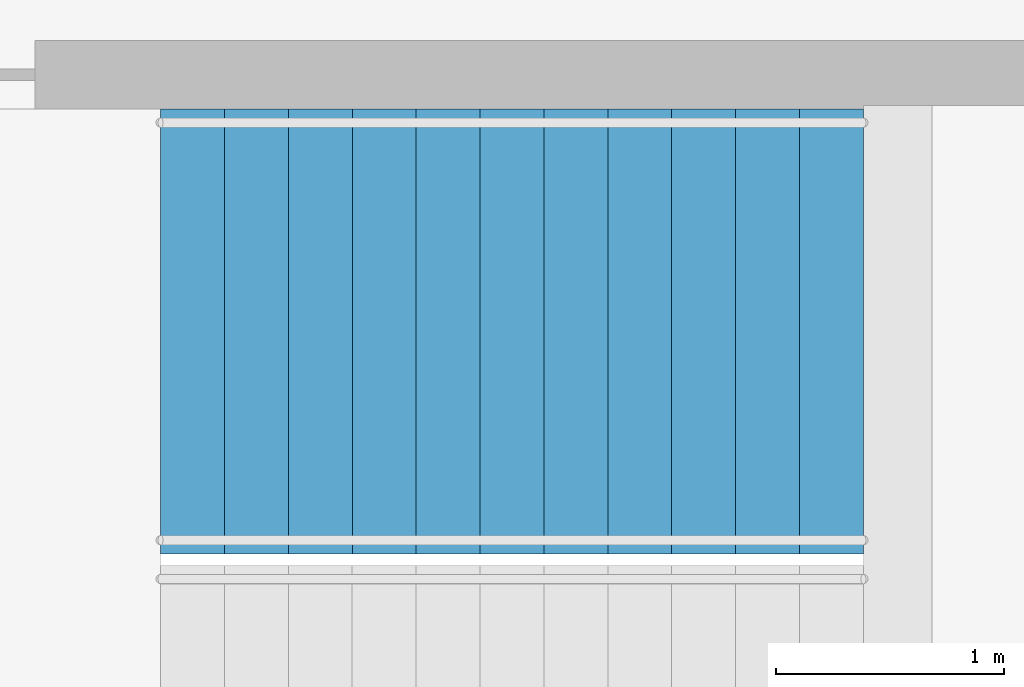
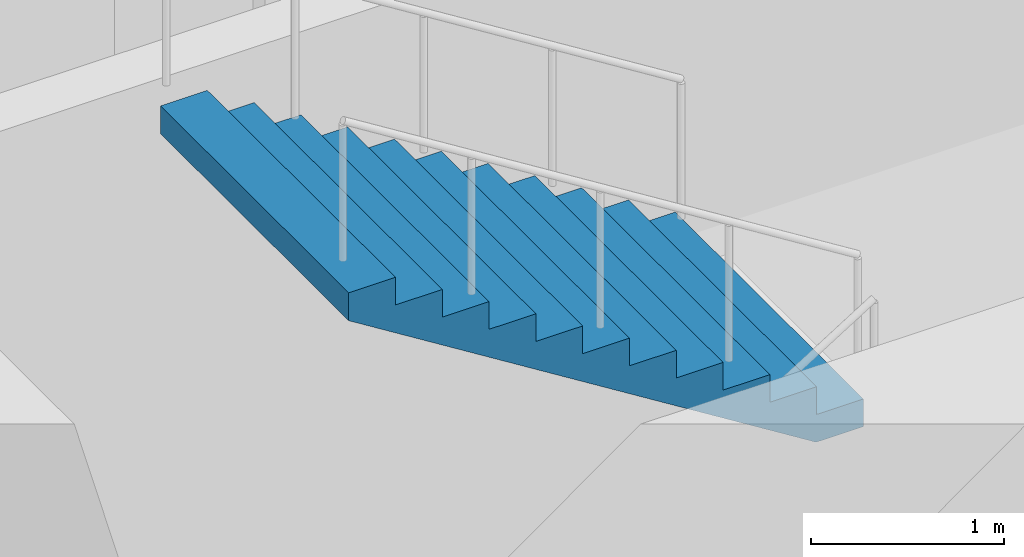
# One storey, part 20 of 23: 1 stair flight, 1 element without a shape of its own.
"""IFC4 building model written with IfcOpenShell, lengths in metres."""

from ifc_helpers import new_model, si_unit, direction, frame, origin, place, context, subcontext, project, spatial, triangles, material, type_object, element, aggregate, save


model = new_model("IFC4")

# Units and contexts
model_context = context("Model", 3, precision=1e-05, world=origin(), true_north=direction((0.0, 1.0)))
body_context = subcontext(model_context, "Body", "Model", "MODEL_VIEW")
ifc_project = project(units=[si_unit("LENGTHUNIT", "METRE"), si_unit("AREAUNIT", "SQUARE_METRE"), si_unit("VOLUMEUNIT", "CUBIC_METRE"), si_unit("PLANEANGLEUNIT", "RADIAN"), si_unit("MASSUNIT", "GRAM", prefix="KILO")], contexts=[model_context])

# Site, building, storey
site_placement = place(None, origin())
site = spatial("IfcSite", under=ifc_project, at=site_placement, CompositionType="ELEMENT")
building_placement = place(site_placement, origin())
building = spatial("IfcBuilding", under=site, at=building_placement, Name="Orbita Commons", CompositionType="ELEMENT")
storey_placement = place(building_placement, frame((0.0, 0.0, 16.0)))
storey = spatial("IfcBuildingStorey", under=building, at=storey_placement, Name="L03", CompositionType="ELEMENT", Elevation=16.0)

# Stair, stair flight
ifc_material_1 = material(Name="Precast concrete C40/50", Category="concrete")
stair_type = type_object("IfcStairType", Name="Exit stair S1 2 flights 12 risers 175", PredefinedType="HALF_TURN_STAIR", material=ifc_material_1)
stair_placement = place(storey_placement, origin())
stair = element("IfcStair", 1, at=stair_placement, inside=storey, type_object=stair_type, Name="Exit stair S1 L03", PredefinedType="HALF_TURN_STAIR")
ifc_material_2 = material(Name="Precast concrete C40/50", Category="concrete")
stair_flight_type = type_object("IfcStairFlightType", Name="Stair flight 12 risers 175 x 280", PredefinedType="STRAIGHT", material=ifc_material_2)
stair_flight_placement = place(storey_placement, frame((23.530029296875, 29.27490234375, 2.10009765625), z_axis=(0.0, 0.0, 1.0), x_axis=(-1.0, 0.0, 0.0)))
stair_flight = element("IfcStairFlight", 2, at=stair_flight_placement, type_object=stair_flight_type, Name="S1 flight 2", NumberOfRisers=12, NumberOfTreads=11, PredefinedType="STRAIGHT", RiserHeight=0.175, TreadLength=0.28, context=body_context, shape_type="Tessellation", body=[
    triangles([(0.0, 0.974976, 0.0), (0.0, 0.974976, 0.021875), (0.0, 0.81248, 0.021875), (0.0, 0.81248, 0.0), (0.0, 0.649984, 0.021875), (0.0, 0.649984, 0.0), (0.0, 0.487488, 0.021875), (0.0, 0.487488, 0.0), (0.0, 0.324992, 0.021875), (0.0, 0.324992, 0.0), (0.0, 0.162496, 0.021875), (0.0, 0.162496, 0.0), (0.0, 0.0, 0.021875), (0.0, 0.0, 0.0), (0.0, -0.162496, 0.021875), (0.0, -0.162496, 0.0), (0.0, -0.324992, 0.021875), (0.0, -0.324992, 0.0), (0.0, -0.487488, 0.021875), (0.0, -0.487488, 0.0), (0.0, -0.649984, 0.021875), (0.0, -0.649984, 0.0), (0.0, -0.81248, 0.021875), (0.0, -0.81248, 0.0), (0.0, -0.974976, 0.021875), (0.0, -0.974976, 0.0), (0.0, 0.974976, 0.04375), (0.0, 0.81248, 0.04375), (0.0, 0.649984, 0.04375), (0.0, 0.487488, 0.04375), (0.0, 0.324992, 0.04375), (0.0, 0.162496, 0.04375), (0.0, 0.0, 0.04375), (0.0, -0.162496, 0.04375), (0.0, -0.324992, 0.04375), (0.0, -0.487488, 0.04375), (0.0, -0.649984, 0.04375), (0.0, -0.81248, 0.04375), (0.0, -0.974976, 0.04375), (0.0, 0.974976, 0.065625), (0.0, 0.81248, 0.065625), (0.0, 0.649984, 0.065625), (0.0, 0.487488, 0.065625), (0.0, 0.324992, 0.065625), (0.0, 0.162496, 0.065625), (0.0, 0.0, 0.065625), (0.0, -0.162496, 0.065625), (0.0, -0.324992, 0.065625), (0.0, -0.487488, 0.065625), (0.0, -0.649984, 0.065625), (0.0, -0.81248, 0.065625), (0.0, -0.974976, 0.065625), (0.0, 0.974976, 0.0875), (0.0, 0.81248, 0.0875), (0.0, 0.649984, 0.0875), (0.0, 0.487488, 0.0875), (0.0, 0.324992, 0.0875), (0.0, 0.162496, 0.0875), (0.0, 0.0, 0.0875), (0.0, -0.162496, 0.0875), (0.0, -0.324992, 0.0875), (0.0, -0.487488, 0.0875), (0.0, -0.649984, 0.0875), (0.0, -0.81248, 0.0875), (0.0, -0.974976, 0.0875), (0.0, 0.974976, 0.109375), (0.0, 0.81248, 0.109375), (0.0, 0.649984, 0.109375), (0.0, 0.487488, 0.109375), (0.0, 0.324992, 0.109375), (0.0, 0.162496, 0.109375), (0.0, 0.0, 0.109375), (0.0, -0.162496, 0.109375), (0.0, -0.324992, 0.109375), (0.0, -0.487488, 0.109375), (0.0, -0.649984, 0.109375), (0.0, -0.81248, 0.109375), (0.0, -0.974976, 0.109375), (0.0, 0.974976, 0.13125), (0.0, 0.81248, 0.13125), (0.0, 0.649984, 0.13125), (0.0, 0.487488, 0.13125), (0.0, 0.324992, 0.13125), (0.0, 0.162496, 0.13125), (0.0, 0.0, 0.13125), (0.0, -0.162496, 0.13125), (0.0, -0.324992, 0.13125), (0.0, -0.487488, 0.13125), (0.0, -0.649984, 0.13125), (0.0, -0.81248, 0.13125), (0.0, -0.974976, 0.13125), (0.0, 0.974976, 0.153125), (0.0, 0.81248, 0.153125), (0.0, 0.649984, 0.153125), (0.0, 0.487488, 0.153125), (0.0, 0.324992, 0.153125), (0.0, 0.162496, 0.153125), (0.0, 0.0, 0.153125), (0.0, -0.162496, 0.153125), (0.0, -0.324992, 0.153125), (0.0, -0.487488, 0.153125), (0.0, -0.649984, 0.153125), (0.0, -0.81248, 0.153125), (0.0, -0.974976, 0.153125), (0.0, 0.974976, 0.175), (0.0, 0.81248, 0.175), (0.0, 0.649984, 0.175), (0.0, 0.487488, 0.175), (0.0, 0.324992, 0.175), (0.0, 0.162496, 0.175), (0.0, 0.0, 0.175), (0.0, -0.162496, 0.175), (0.0, -0.324992, 0.175), (0.0, -0.487488, 0.175), (0.0, -0.649984, 0.175), (0.0, -0.81248, 0.175), (0.0, -0.974976, 0.175), (0.28, 0.974976, 0.175), (0.28, 0.81248, 0.175), (0.28, 0.649984, 0.175), (0.28, 0.487488, 0.175), (0.28, 0.324992, 0.175), (0.28, 0.162496, 0.175), (0.28, 0.0, 0.175), (0.28, -0.162496, 0.175), (0.28, -0.324992, 0.175), (0.28, -0.487488, 0.175), (0.28, -0.649984, 0.175), (0.28, -0.81248, 0.175), (0.28, -0.974976, 0.175), (0.28, 0.974976, 0.35), (0.28, 0.81248, 0.35), (0.28, 0.649984, 0.35), (0.28, 0.487488, 0.35), (0.28, 0.324992, 0.35), (0.28, 0.162496, 0.35), (0.28, 0.0, 0.35), (0.28, -0.162496, 0.35), (0.28, -0.324992, 0.35), (0.28, -0.487488, 0.35), (0.28, -0.649984, 0.35), (0.28, -0.81248, 0.35), (0.28, -0.974976, 0.35), (0.56, 0.974976, 0.35), (0.56, 0.81248, 0.35), (0.56, 0.649984, 0.35), (0.56, 0.487488, 0.35), (0.56, 0.324992, 0.35), (0.56, 0.162496, 0.35), (0.56, 0.0, 0.35), (0.56, -0.162496, 0.35), (0.56, -0.324992, 0.35), (0.56, -0.487488, 0.35), (0.56, -0.649984, 0.35), (0.56, -0.81248, 0.35), (0.56, -0.974976, 0.35), (0.56, 0.974976, 0.525), (0.56, 0.81248, 0.525), (0.56, 0.649984, 0.525), (0.56, 0.487488, 0.525), (0.56, 0.324992, 0.525), (0.56, 0.162496, 0.525), (0.56, 0.0, 0.525), (0.56, -0.162496, 0.525), (0.56, -0.324992, 0.525), (0.56, -0.487488, 0.525), (0.56, -0.649984, 0.525), (0.56, -0.81248, 0.525), (0.56, -0.974976, 0.525), (0.84, 0.974976, 0.525), (0.84, 0.81248, 0.525), (0.84, 0.649984, 0.525), (0.84, 0.487488, 0.525), (0.84, 0.324992, 0.525), (0.84, 0.162496, 0.525), (0.84, 0.0, 0.525), (0.84, -0.162496, 0.525), (0.84, -0.324992, 0.525), (0.84, -0.487488, 0.525), (0.84, -0.649984, 0.525), (0.84, -0.81248, 0.525), (0.84, -0.974976, 0.525), (0.84, 0.974976, 0.7), (0.84, 0.81248, 0.7), (0.84, 0.649984, 0.7), (0.84, 0.487488, 0.7), (0.84, 0.324992, 0.7), (0.84, 0.162496, 0.7), (0.84, 0.0, 0.7), (0.84, -0.162496, 0.7), (0.84, -0.324992, 0.7), (0.84, -0.487488, 0.7), (0.84, -0.649984, 0.7), (0.84, -0.81248, 0.7), (0.84, -0.974976, 0.7), (1.12, 0.974976, 0.7), (1.12, 0.81248, 0.7), (1.12, 0.649984, 0.7), (1.12, 0.487488, 0.7), (1.12, 0.324992, 0.7), (1.12, 0.162496, 0.7), (1.12, 0.0, 0.7), (1.12, -0.162496, 0.7), (1.12, -0.324992, 0.7), (1.12, -0.487488, 0.7), (1.12, -0.649984, 0.7), (1.12, -0.81248, 0.7), (1.12, -0.974976, 0.7), (1.12, 0.974976, 0.875), (1.12, 0.81248, 0.875), (1.12, 0.649984, 0.875), (1.12, 0.487488, 0.875), (1.12, 0.324992, 0.875), (1.12, 0.162496, 0.875), (1.12, 0.0, 0.875), (1.12, -0.162496, 0.875), (1.12, -0.324992, 0.875), (1.12, -0.487488, 0.875), (1.12, -0.649984, 0.875), (1.12, -0.81248, 0.875), (1.12, -0.974976, 0.875), (1.4, 0.974976, 0.875), (1.4, 0.81248, 0.875), (1.4, 0.649984, 0.875), (1.4, 0.487488, 0.875), (1.4, 0.324992, 0.875), (1.4, 0.162496, 0.875), (1.4, 0.0, 0.875), (1.4, -0.162496, 0.875), (1.4, -0.324992, 0.875), (1.4, -0.487488, 0.875), (1.4, -0.649984, 0.875), (1.4, -0.81248, 0.875), (1.4, -0.974976, 0.875), (1.4, 0.974976, 1.05), (1.4, 0.81248, 1.05), (1.4, 0.649984, 1.05), (1.4, 0.487488, 1.05), (1.4, 0.324992, 1.05), (1.4, 0.162496, 1.05), (1.4, 0.0, 1.05), (1.4, -0.162496, 1.05), (1.4, -0.324992, 1.05), (1.4, -0.487488, 1.05), (1.4, -0.649984, 1.05), (1.4, -0.81248, 1.05), (1.4, -0.974976, 1.05), (1.68, 0.974976, 1.05), (1.68, 0.81248, 1.05), (1.68, 0.649984, 1.05), (1.68, 0.487488, 1.05), (1.68, 0.324992, 1.05), (1.68, 0.162496, 1.05), (1.68, 0.0, 1.05), (1.68, -0.162496, 1.05), (1.68, -0.324992, 1.05), (1.68, -0.487488, 1.05), (1.68, -0.649984, 1.05), (1.68, -0.81248, 1.05), (1.68, -0.974976, 1.05), (1.68, 0.974976, 1.225), (1.68, 0.81248, 1.225), (1.68, 0.649984, 1.225), (1.68, 0.487488, 1.225), (1.68, 0.324992, 1.225), (1.68, 0.162496, 1.225), (1.68, 0.0, 1.225), (1.68, -0.162496, 1.225), (1.68, -0.324992, 1.225), (1.68, -0.487488, 1.225), (1.68, -0.649984, 1.225), (1.68, -0.81248, 1.225), (1.68, -0.974976, 1.225), (1.96, 0.974976, 1.225), (1.96, 0.81248, 1.225), (1.96, 0.649984, 1.225), (1.96, 0.487488, 1.225), (1.96, 0.324992, 1.225), (1.96, 0.162496, 1.225), (1.96, 0.0, 1.225), (1.96, -0.162496, 1.225), (1.96, -0.324992, 1.225), (1.96, -0.487488, 1.225), (1.96, -0.649984, 1.225), (1.96, -0.81248, 1.225), (1.96, -0.974976, 1.225), (1.96, 0.974976, 1.4), (1.96, 0.81248, 1.4), (1.96, 0.649984, 1.4), (1.96, 0.487488, 1.4), (1.96, 0.324992, 1.4), (1.96, 0.162496, 1.4), (1.96, 0.0, 1.4), (1.96, -0.162496, 1.4), (1.96, -0.324992, 1.4), (1.96, -0.487488, 1.4), (1.96, -0.649984, 1.4), (1.96, -0.81248, 1.4), (1.96, -0.974976, 1.4), (2.24, 0.974976, 1.4), (2.24, 0.81248, 1.4), (2.24, 0.649984, 1.4), (2.24, 0.487488, 1.4), (2.24, 0.324992, 1.4), (2.24, 0.162496, 1.4), (2.24, 0.0, 1.4), (2.24, -0.162496, 1.4), (2.24, -0.324992, 1.4), (2.24, -0.487488, 1.4), (2.24, -0.649984, 1.4), (2.24, -0.81248, 1.4), (2.24, -0.974976, 1.4), (2.24, 0.974976, 1.575), (2.24, 0.81248, 1.575), (2.24, 0.649984, 1.575), (2.24, 0.487488, 1.575), (2.24, 0.324992, 1.575), (2.24, 0.162496, 1.575), (2.24, 0.0, 1.575), (2.24, -0.162496, 1.575), (2.24, -0.324992, 1.575), (2.24, -0.487488, 1.575), (2.24, -0.649984, 1.575), (2.24, -0.81248, 1.575), (2.24, -0.974976, 1.575), (2.52, 0.974976, 1.575), (2.52, 0.81248, 1.575), (2.52, 0.649984, 1.575), (2.52, 0.487488, 1.575), (2.52, 0.324992, 1.575), (2.52, 0.162496, 1.575), (2.52, 0.0, 1.575), (2.52, -0.162496, 1.575), (2.52, -0.324992, 1.575), (2.52, -0.487488, 1.575), (2.52, -0.649984, 1.575), (2.52, -0.81248, 1.575), (2.52, -0.974976, 1.575), (2.52, 0.974976, 1.75), (2.52, 0.81248, 1.75), (2.52, 0.649984, 1.75), (2.52, 0.487488, 1.75), (2.52, 0.324992, 1.75), (2.52, 0.162496, 1.75), (2.52, 0.0, 1.75), (2.52, -0.162496, 1.75), (2.52, -0.324992, 1.75), (2.52, -0.487488, 1.75), (2.52, -0.649984, 1.75), (2.52, -0.81248, 1.75), (2.52, -0.974976, 1.75), (2.8, 0.974976, 1.75), (2.8, 0.81248, 1.75), (2.8, 0.649984, 1.75), (2.8, 0.487488, 1.75), (2.8, 0.324992, 1.75), (2.8, 0.162496, 1.75), (2.8, 0.0, 1.75), (2.8, -0.162496, 1.75), (2.8, -0.324992, 1.75), (2.8, -0.487488, 1.75), (2.8, -0.649984, 1.75), (2.8, -0.81248, 1.75), (2.8, -0.974976, 1.75), (2.8, 0.974976, 1.925), (2.8, 0.81248, 1.925), (2.8, 0.649984, 1.925), (2.8, 0.487488, 1.925), (2.8, 0.324992, 1.925), (2.8, 0.162496, 1.925), (2.8, 0.0, 1.925), (2.8, -0.162496, 1.925), (2.8, -0.324992, 1.925), (2.8, -0.487488, 1.925), (2.8, -0.649984, 1.925), (2.8, -0.81248, 1.925), (2.8, -0.974976, 1.925), (3.08, 0.974976, 1.925), (3.08, 0.81248, 1.925), (3.08, 0.649984, 1.925), (3.08, 0.487488, 1.925), (3.08, 0.324992, 1.925), (3.08, 0.162496, 1.925), (3.08, 0.0, 1.925), (3.08, -0.162496, 1.925), (3.08, -0.324992, 1.925), (3.08, -0.487488, 1.925), (3.08, -0.649984, 1.925), (3.08, -0.81248, 1.925), (3.08, -0.974976, 1.925), (3.08, 0.974976, 1.902904), (3.08, 0.81248, 1.902904), (3.08, 0.649984, 1.902904), (3.08, 0.487488, 1.902904), (3.08, 0.324992, 1.902904), (3.08, 0.162496, 1.902904), (3.08, 0.0, 1.902904), (3.08, -0.162496, 1.902904), (3.08, -0.324992, 1.902904), (3.08, -0.487488, 1.902904), (3.08, -0.649984, 1.902904), (3.08, -0.81248, 1.902904), (3.08, -0.974976, 1.902904), (3.08, 0.974976, 1.880807), (3.08, 0.81248, 1.880807), (3.08, 0.649984, 1.880807), (3.08, 0.487488, 1.880807), (3.08, 0.324992, 1.880807), (3.08, 0.162496, 1.880807), (3.08, 0.0, 1.880807), (3.08, -0.162496, 1.880807), (3.08, -0.324992, 1.880807), (3.08, -0.487488, 1.880807), (3.08, -0.649984, 1.880807), (3.08, -0.81248, 1.880807), (3.08, -0.974976, 1.880807), (3.08, 0.974976, 1.858711), (3.08, 0.81248, 1.858711), (3.08, 0.649984, 1.858711), (3.08, 0.487488, 1.858711), (3.08, 0.324992, 1.858711), (3.08, 0.162496, 1.858711), (3.08, 0.0, 1.858711), (3.08, -0.162496, 1.858711), (3.08, -0.324992, 1.858711), (3.08, -0.487488, 1.858711), (3.08, -0.649984, 1.858711), (3.08, -0.81248, 1.858711), (3.08, -0.974976, 1.858711), (3.08, 0.974976, 1.836614), (3.08, 0.81248, 1.836614), (3.08, 0.649984, 1.836614), (3.08, 0.487488, 1.836614), (3.08, 0.324992, 1.836614), (3.08, 0.162496, 1.836614), (3.08, 0.0, 1.836614), (3.08, -0.162496, 1.836614), (3.08, -0.324992, 1.836614), (3.08, -0.487488, 1.836614), (3.08, -0.649984, 1.836614), (3.08, -0.81248, 1.836614), (3.08, -0.974976, 1.836614), (3.08, 0.974976, 1.814518), (3.08, 0.81248, 1.814518), (3.08, 0.649984, 1.814518), (3.08, 0.487488, 1.814518), (3.08, 0.324992, 1.814518), (3.08, 0.162496, 1.814518), (3.08, 0.0, 1.814518), (3.08, -0.162496, 1.814518), (3.08, -0.324992, 1.814518), (3.08, -0.487488, 1.814518), (3.08, -0.649984, 1.814518), (3.08, -0.81248, 1.814518), (3.08, -0.974976, 1.814518), (3.08, 0.974976, 1.792421), (3.08, 0.81248, 1.792421), (3.08, 0.649984, 1.792421), (3.08, 0.487488, 1.792421), (3.08, 0.324992, 1.792421), (3.08, 0.162496, 1.792421), (3.08, 0.0, 1.792421), (3.08, -0.162496, 1.792421), (3.08, -0.324992, 1.792421), (3.08, -0.487488, 1.792421), (3.08, -0.649984, 1.792421), (3.08, -0.81248, 1.792421), (3.08, -0.974976, 1.792421), (3.08, 0.974976, 1.770325), (3.08, 0.81248, 1.770325), (3.08, 0.649984, 1.770325), (3.08, 0.487488, 1.770325), (3.08, 0.324992, 1.770325), (3.08, 0.162496, 1.770325), (3.08, 0.0, 1.770325), (3.08, -0.162496, 1.770325), (3.08, -0.324992, 1.770325), (3.08, -0.487488, 1.770325), (3.08, -0.649984, 1.770325), (3.08, -0.81248, 1.770325), (3.08, -0.974976, 1.770325), (3.08, 0.974976, 1.748228), (3.08, 0.81248, 1.748228), (3.08, 0.649984, 1.748228), (3.08, 0.487488, 1.748228), (3.08, 0.324992, 1.748228), (3.08, 0.162496, 1.748228), (3.08, 0.0, 1.748228), (3.08, -0.162496, 1.748228), (3.08, -0.324992, 1.748228), (3.08, -0.487488, 1.748228), (3.08, -0.649984, 1.748228), (3.08, -0.81248, 1.748228), (3.08, -0.974976, 1.748228), (0.282835, 0.974976, 0.0), (0.282835, 0.81248, 0.0), (0.282835, 0.649984, 0.0), (0.282835, 0.487488, 0.0), (0.282835, 0.324992, 0.0), (0.282835, 0.162496, 0.0), (0.282835, 0.0, 0.0), (0.282835, -0.162496, 0.0), (0.282835, -0.324992, 0.0), (0.282835, -0.487488, 0.0), (0.282835, -0.649984, 0.0), (0.282835, -0.81248, 0.0), (0.282835, -0.974976, 0.0)], [[3, 2, 1], [4, 3, 1], [5, 3, 4], [6, 5, 4], [7, 5, 6], [8, 7, 6], [9, 7, 8], [10, 9, 8], [11, 9, 10], [12, 11, 10], [13, 11, 12], [14, 13, 12], [15, 13, 14], [16, 15, 14], [17, 15, 16], [18, 17, 16], [19, 17, 18], [20, 19, 18], [21, 19, 20], [22, 21, 20], [23, 21, 22], [24, 23, 22], [25, 23, 24], [26, 25, 24], [28, 27, 2], [3, 28, 2], [29, 28, 3], [5, 29, 3], [30, 29, 5], [7, 30, 5], [31, 30, 7], [9, 31, 7], [32, 31, 9], [11, 32, 9], [33, 32, 11], [13, 33, 11], [34, 33, 13], [15, 34, 13], [35, 34, 15], [17, 35, 15], [36, 35, 17], [19, 36, 17], [37, 36, 19], [21, 37, 19], [38, 37, 21], [23, 38, 21], [39, 38, 23], [25, 39, 23], [41, 40, 27], [28, 41, 27], [42, 41, 28], [29, 42, 28], [43, 42, 29], [30, 43, 29], [44, 43, 30], [31, 44, 30], [45, 44, 31], [32, 45, 31], [46, 45, 32], [33, 46, 32], [47, 46, 33], [34, 47, 33], [48, 47, 34], [35, 48, 34], [49, 48, 35], [36, 49, 35], [50, 49, 36], [37, 50, 36], [51, 50, 37], [38, 51, 37], [52, 51, 38], [39, 52, 38], [54, 53, 40], [41, 54, 40], [55, 54, 41], [42, 55, 41], [56, 55, 42], [43, 56, 42], [57, 56, 43], [44, 57, 43], [58, 57, 44], [45, 58, 44], [59, 58, 45], [46, 59, 45], [60, 59, 46], [47, 60, 46], [61, 60, 47], [48, 61, 47], [62, 61, 48], [49, 62, 48], [63, 62, 49], [50, 63, 49], [64, 63, 50], [51, 64, 50], [65, 64, 51], [52, 65, 51], [67, 66, 53], [54, 67, 53], [68, 67, 54], [55, 68, 54], [69, 68, 55], [56, 69, 55], [70, 69, 56], [57, 70, 56], [71, 70, 57], [58, 71, 57], [72, 71, 58], [59, 72, 58], [73, 72, 59], [60, 73, 59], [74, 73, 60], [61, 74, 60], [75, 74, 61], [62, 75, 61], [76, 75, 62], [63, 76, 62], [77, 76, 63], [64, 77, 63], [78, 77, 64], [65, 78, 64], [80, 79, 66], [67, 80, 66], [81, 80, 67], [68, 81, 67], [82, 81, 68], [69, 82, 68], [83, 82, 69], [70, 83, 69], [84, 83, 70], [71, 84, 70], [85, 84, 71], [72, 85, 71], [86, 85, 72], [73, 86, 72], [87, 86, 73], [74, 87, 73], [88, 87, 74], [75, 88, 74], [89, 88, 75], [76, 89, 75], [90, 89, 76], [77, 90, 76], [91, 90, 77], [78, 91, 77], [93, 92, 79], [80, 93, 79], [94, 93, 80], [81, 94, 80], [95, 94, 81], [82, 95, 81], [96, 95, 82], [83, 96, 82], [97, 96, 83], [84, 97, 83], [98, 97, 84], [85, 98, 84], [99, 98, 85], [86, 99, 85], [100, 99, 86], [87, 100, 86], [101, 100, 87], [88, 101, 87], [102, 101, 88], [89, 102, 88], [103, 102, 89], [90, 103, 89], [104, 103, 90], [91, 104, 90], [106, 105, 92], [93, 106, 92], [107, 106, 93], [94, 107, 93], [108, 107, 94], [95, 108, 94], [109, 108, 95], [96, 109, 95], [110, 109, 96], [97, 110, 96], [111, 110, 97], [98, 111, 97], [112, 111, 98], [99, 112, 98], [113, 112, 99], [100, 113, 99], [114, 113, 100], [101, 114, 100], [115, 114, 101], [102, 115, 101], [116, 115, 102], [103, 116, 102], [117, 116, 103], [104, 117, 103], [119, 118, 105], [106, 119, 105], [120, 119, 106], [107, 120, 106], [121, 120, 107], [108, 121, 107], [122, 121, 108], [109, 122, 108], [123, 122, 109], [110, 123, 109], [124, 123, 110], [111, 124, 110], [125, 124, 111], [112, 125, 111], [126, 125, 112], [113, 126, 112], [127, 126, 113], [114, 127, 113], [128, 127, 114], [115, 128, 114], [129, 128, 115], [116, 129, 115], [130, 129, 116], [117, 130, 116], [132, 131, 118], [119, 132, 118], [133, 132, 119], [120, 133, 119], [134, 133, 120], [121, 134, 120], [135, 134, 121], [122, 135, 121], [136, 135, 122], [123, 136, 122], [137, 136, 123], [124, 137, 123], [138, 137, 124], [125, 138, 124], [139, 138, 125], [126, 139, 125], [140, 139, 126], [127, 140, 126], [141, 140, 127], [128, 141, 127], [142, 141, 128], [129, 142, 128], [143, 142, 129], [130, 143, 129], [145, 144, 131], [132, 145, 131], [146, 145, 132], [133, 146, 132], [147, 146, 133], [134, 147, 133], [148, 147, 134], [135, 148, 134], [149, 148, 135], [136, 149, 135], [150, 149, 136], [137, 150, 136], [151, 150, 137], [138, 151, 137], [152, 151, 138], [139, 152, 138], [153, 152, 139], [140, 153, 139], [154, 153, 140], [141, 154, 140], [155, 154, 141], [142, 155, 141], [156, 155, 142], [143, 156, 142], [158, 157, 144], [145, 158, 144], [159, 158, 145], [146, 159, 145], [160, 159, 146], [147, 160, 146], [161, 160, 147], [148, 161, 147], [162, 161, 148], [149, 162, 148], [163, 162, 149], [150, 163, 149], [164, 163, 150], [151, 164, 150], [165, 164, 151], [152, 165, 151], [166, 165, 152], [153, 166, 152], [167, 166, 153], [154, 167, 153], [168, 167, 154], [155, 168, 154], [169, 168, 155], [156, 169, 155], [171, 170, 157], [158, 171, 157], [172, 171, 158], [159, 172, 158], [173, 172, 159], [160, 173, 159], [174, 173, 160], [161, 174, 160], [175, 174, 161], [162, 175, 161], [176, 175, 162], [163, 176, 162], [177, 176, 163], [164, 177, 163], [178, 177, 164], [165, 178, 164], [179, 178, 165], [166, 179, 165], [180, 179, 166], [167, 180, 166], [181, 180, 167], [168, 181, 167], [182, 181, 168], [169, 182, 168], [184, 183, 170], [171, 184, 170], [185, 184, 171], [172, 185, 171], [186, 185, 172], [173, 186, 172], [187, 186, 173], [174, 187, 173], [188, 187, 174], [175, 188, 174], [189, 188, 175], [176, 189, 175], [190, 189, 176], [177, 190, 176], [191, 190, 177], [178, 191, 177], [192, 191, 178], [179, 192, 178], [193, 192, 179], [180, 193, 179], [194, 193, 180], [181, 194, 180], [195, 194, 181], [182, 195, 181], [197, 196, 183], [184, 197, 183], [198, 197, 184], [185, 198, 184], [199, 198, 185], [186, 199, 185], [200, 199, 186], [187, 200, 186], [201, 200, 187], [188, 201, 187], [202, 201, 188], [189, 202, 188], [203, 202, 189], [190, 203, 189], [204, 203, 190], [191, 204, 190], [205, 204, 191], [192, 205, 191], [206, 205, 192], [193, 206, 192], [207, 206, 193], [194, 207, 193], [208, 207, 194], [195, 208, 194], [210, 209, 196], [197, 210, 196], [211, 210, 197], [198, 211, 197], [212, 211, 198], [199, 212, 198], [213, 212, 199], [200, 213, 199], [214, 213, 200], [201, 214, 200], [215, 214, 201], [202, 215, 201], [216, 215, 202], [203, 216, 202], [217, 216, 203], [204, 217, 203], [218, 217, 204], [205, 218, 204], [219, 218, 205], [206, 219, 205], [220, 219, 206], [207, 220, 206], [221, 220, 207], [208, 221, 207], [223, 222, 209], [210, 223, 209], [224, 223, 210], [211, 224, 210], [225, 224, 211], [212, 225, 211], [226, 225, 212], [213, 226, 212], [227, 226, 213], [214, 227, 213], [228, 227, 214], [215, 228, 214], [229, 228, 215], [216, 229, 215], [230, 229, 216], [217, 230, 216], [231, 230, 217], [218, 231, 217], [232, 231, 218], [219, 232, 218], [233, 232, 219], [220, 233, 219], [234, 233, 220], [221, 234, 220], [236, 235, 222], [223, 236, 222], [237, 236, 223], [224, 237, 223], [238, 237, 224], [225, 238, 224], [239, 238, 225], [226, 239, 225], [240, 239, 226], [227, 240, 226], [241, 240, 227], [228, 241, 227], [242, 241, 228], [229, 242, 228], [243, 242, 229], [230, 243, 229], [244, 243, 230], [231, 244, 230], [245, 244, 231], [232, 245, 231], [246, 245, 232], [233, 246, 232], [247, 246, 233], [234, 247, 233], [249, 248, 235], [236, 249, 235], [250, 249, 236], [237, 250, 236], [251, 250, 237], [238, 251, 237], [252, 251, 238], [239, 252, 238], [253, 252, 239], [240, 253, 239], [254, 253, 240], [241, 254, 240], [255, 254, 241], [242, 255, 241], [256, 255, 242], [243, 256, 242], [257, 256, 243], [244, 257, 243], [258, 257, 244], [245, 258, 244], [259, 258, 245], [246, 259, 245], [260, 259, 246], [247, 260, 246], [262, 261, 248], [249, 262, 248], [263, 262, 249], [250, 263, 249], [264, 263, 250], [251, 264, 250], [265, 264, 251], [252, 265, 251], [266, 265, 252], [253, 266, 252], [267, 266, 253], [254, 267, 253], [268, 267, 254], [255, 268, 254], [269, 268, 255], [256, 269, 255], [270, 269, 256], [257, 270, 256], [271, 270, 257], [258, 271, 257], [272, 271, 258], [259, 272, 258], [273, 272, 259], [260, 273, 259], [275, 274, 261], [262, 275, 261], [276, 275, 262], [263, 276, 262], [277, 276, 263], [264, 277, 263], [278, 277, 264], [265, 278, 264], [279, 278, 265], [266, 279, 265], [280, 279, 266], [267, 280, 266], [281, 280, 267], [268, 281, 267], [282, 281, 268], [269, 282, 268], [283, 282, 269], [270, 283, 269], [284, 283, 270], [271, 284, 270], [285, 284, 271], [272, 285, 271], [286, 285, 272], [273, 286, 272], [288, 287, 274], [275, 288, 274], [289, 288, 275], [276, 289, 275], [290, 289, 276], [277, 290, 276], [291, 290, 277], [278, 291, 277], [292, 291, 278], [279, 292, 278], [293, 292, 279], [280, 293, 279], [294, 293, 280], [281, 294, 280], [295, 294, 281], [282, 295, 281], [296, 295, 282], [283, 296, 282], [297, 296, 283], [284, 297, 283], [298, 297, 284], [285, 298, 284], [299, 298, 285], [286, 299, 285], [301, 300, 287], [288, 301, 287], [302, 301, 288], [289, 302, 288], [303, 302, 289], [290, 303, 289], [304, 303, 290], [291, 304, 290], [305, 304, 291], [292, 305, 291], [306, 305, 292], [293, 306, 292], [307, 306, 293], [294, 307, 293], [308, 307, 294], [295, 308, 294], [309, 308, 295], [296, 309, 295], [310, 309, 296], [297, 310, 296], [311, 310, 297], [298, 311, 297], [312, 311, 298], [299, 312, 298], [314, 313, 300], [301, 314, 300], [315, 314, 301], [302, 315, 301], [316, 315, 302], [303, 316, 302], [317, 316, 303], [304, 317, 303], [318, 317, 304], [305, 318, 304], [319, 318, 305], [306, 319, 305], [320, 319, 306], [307, 320, 306], [321, 320, 307], [308, 321, 307], [322, 321, 308], [309, 322, 308], [323, 322, 309], [310, 323, 309], [324, 323, 310], [311, 324, 310], [325, 324, 311], [312, 325, 311], [327, 326, 313], [314, 327, 313], [328, 327, 314], [315, 328, 314], [329, 328, 315], [316, 329, 315], [330, 329, 316], [317, 330, 316], [331, 330, 317], [318, 331, 317], [332, 331, 318], [319, 332, 318], [333, 332, 319], [320, 333, 319], [334, 333, 320], [321, 334, 320], [335, 334, 321], [322, 335, 321], [336, 335, 322], [323, 336, 322], [337, 336, 323], [324, 337, 323], [338, 337, 324], [325, 338, 324], [340, 339, 326], [327, 340, 326], [341, 340, 327], [328, 341, 327], [342, 341, 328], [329, 342, 328], [343, 342, 329], [330, 343, 329], [344, 343, 330], [331, 344, 330], [345, 344, 331], [332, 345, 331], [346, 345, 332], [333, 346, 332], [347, 346, 333], [334, 347, 333], [348, 347, 334], [335, 348, 334], [349, 348, 335], [336, 349, 335], [350, 349, 336], [337, 350, 336], [351, 350, 337], [338, 351, 337], [353, 352, 339], [340, 353, 339], [354, 353, 340], [341, 354, 340], [355, 354, 341], [342, 355, 341], [356, 355, 342], [343, 356, 342], [357, 356, 343], [344, 357, 343], [358, 357, 344], [345, 358, 344], [359, 358, 345], [346, 359, 345], [360, 359, 346], [347, 360, 346], [361, 360, 347], [348, 361, 347], [362, 361, 348], [349, 362, 348], [363, 362, 349], [350, 363, 349], [364, 363, 350], [351, 364, 350], [366, 365, 352], [353, 366, 352], [367, 366, 353], [354, 367, 353], [368, 367, 354], [355, 368, 354], [369, 368, 355], [356, 369, 355], [370, 369, 356], [357, 370, 356], [371, 370, 357], [358, 371, 357], [372, 371, 358], [359, 372, 358], [373, 372, 359], [360, 373, 359], [374, 373, 360], [361, 374, 360], [375, 374, 361], [362, 375, 361], [376, 375, 362], [363, 376, 362], [377, 376, 363], [364, 377, 363], [379, 378, 365], [366, 379, 365], [380, 379, 366], [367, 380, 366], [381, 380, 367], [368, 381, 367], [382, 381, 368], [369, 382, 368], [383, 382, 369], [370, 383, 369], [384, 383, 370], [371, 384, 370], [385, 384, 371], [372, 385, 371], [386, 385, 372], [373, 386, 372], [387, 386, 373], [374, 387, 373], [388, 387, 374], [375, 388, 374], [389, 388, 375], [376, 389, 375], [390, 389, 376], [377, 390, 376], [392, 391, 378], [379, 392, 378], [393, 392, 379], [380, 393, 379], [394, 393, 380], [381, 394, 380], [395, 394, 381], [382, 395, 381], [396, 395, 382], [383, 396, 382], [397, 396, 383], [384, 397, 383], [398, 397, 384], [385, 398, 384], [399, 398, 385], [386, 399, 385], [400, 399, 386], [387, 400, 386], [401, 400, 387], [388, 401, 387], [402, 401, 388], [389, 402, 388], [403, 402, 389], [390, 403, 389], [405, 404, 391], [392, 405, 391], [406, 405, 392], [393, 406, 392], [407, 406, 393], [394, 407, 393], [408, 407, 394], [395, 408, 394], [409, 408, 395], [396, 409, 395], [410, 409, 396], [397, 410, 396], [411, 410, 397], [398, 411, 397], [412, 411, 398], [399, 412, 398], [413, 412, 399], [400, 413, 399], [414, 413, 400], [401, 414, 400], [415, 414, 401], [402, 415, 401], [416, 415, 402], [403, 416, 402], [418, 417, 404], [405, 418, 404], [419, 418, 405], [406, 419, 405], [420, 419, 406], [407, 420, 406], [421, 420, 407], [408, 421, 407], [422, 421, 408], [409, 422, 408], [423, 422, 409], [410, 423, 409], [424, 423, 410], [411, 424, 410], [425, 424, 411], [412, 425, 411], [426, 425, 412], [413, 426, 412], [427, 426, 413], [414, 427, 413], [428, 427, 414], [415, 428, 414], [429, 428, 415], [416, 429, 415], [431, 430, 417], [418, 431, 417], [432, 431, 418], [419, 432, 418], [433, 432, 419], [420, 433, 419], [434, 433, 420], [421, 434, 420], [435, 434, 421], [422, 435, 421], [436, 435, 422], [423, 436, 422], [437, 436, 423], [424, 437, 423], [438, 437, 424], [425, 438, 424], [439, 438, 425], [426, 439, 425], [440, 439, 426], [427, 440, 426], [441, 440, 427], [428, 441, 427], [442, 441, 428], [429, 442, 428], [444, 443, 430], [431, 444, 430], [445, 444, 431], [432, 445, 431], [446, 445, 432], [433, 446, 432], [447, 446, 433], [434, 447, 433], [448, 447, 434], [435, 448, 434], [449, 448, 435], [436, 449, 435], [450, 449, 436], [437, 450, 436], [451, 450, 437], [438, 451, 437], [452, 451, 438], [439, 452, 438], [453, 452, 439], [440, 453, 439], [454, 453, 440], [441, 454, 440], [455, 454, 441], [442, 455, 441], [457, 456, 443], [444, 457, 443], [458, 457, 444], [445, 458, 444], [459, 458, 445], [446, 459, 445], [460, 459, 446], [447, 460, 446], [461, 460, 447], [448, 461, 447], [462, 461, 448], [449, 462, 448], [463, 462, 449], [450, 463, 449], [464, 463, 450], [451, 464, 450], [465, 464, 451], [452, 465, 451], [466, 465, 452], [453, 466, 452], [467, 466, 453], [454, 467, 453], [468, 467, 454], [455, 468, 454], [470, 469, 456], [457, 470, 456], [471, 470, 457], [458, 471, 457], [472, 471, 458], [459, 472, 458], [473, 472, 459], [460, 473, 459], [474, 473, 460], [461, 474, 460], [475, 474, 461], [462, 475, 461], [476, 475, 462], [463, 476, 462], [477, 476, 463], [464, 477, 463], [478, 477, 464], [465, 478, 464], [479, 478, 465], [466, 479, 465], [480, 479, 466], [467, 480, 466], [481, 480, 467], [468, 481, 467], [483, 482, 469], [470, 483, 469], [484, 483, 470], [471, 484, 470], [485, 484, 471], [472, 485, 471], [486, 485, 472], [473, 486, 472], [487, 486, 473], [474, 487, 473], [488, 487, 474], [475, 488, 474], [489, 488, 475], [476, 489, 475], [490, 489, 476], [477, 490, 476], [491, 490, 477], [478, 491, 477], [492, 491, 478], [479, 492, 478], [493, 492, 479], [480, 493, 479], [494, 493, 480], [481, 494, 480], [496, 495, 482], [483, 496, 482], [497, 496, 483], [484, 497, 483], [498, 497, 484], [485, 498, 484], [499, 498, 485], [486, 499, 485], [500, 499, 486], [487, 500, 486], [501, 500, 487], [488, 501, 487], [502, 501, 488], [489, 502, 488], [503, 502, 489], [490, 503, 489], [504, 503, 490], [491, 504, 490], [505, 504, 491], [492, 505, 491], [506, 505, 492], [493, 506, 492], [507, 506, 493], [494, 507, 493], [4, 1, 495], [496, 4, 495], [6, 4, 496], [497, 6, 496], [8, 6, 497], [498, 8, 497], [10, 8, 498], [499, 10, 498], [12, 10, 499], [500, 12, 499], [14, 12, 500], [501, 14, 500], [16, 14, 501], [502, 16, 501], [18, 16, 502], [503, 18, 502], [20, 18, 503], [504, 20, 503], [22, 20, 504], [505, 22, 504], [24, 22, 505], [506, 24, 505], [26, 24, 506], [507, 26, 506], [482, 495, 1], [26, 507, 494], [469, 482, 1], [26, 494, 481], [456, 469, 1], [26, 481, 468], [443, 456, 1], [26, 468, 455], [430, 443, 1], [26, 455, 442], [417, 430, 1], [26, 442, 429], [404, 417, 1], [26, 429, 416], [391, 404, 1], [26, 416, 403], [365, 378, 391], [403, 390, 377], [352, 365, 391], [403, 377, 364], [326, 339, 352], [364, 351, 338], [326, 352, 391], [403, 364, 338], [300, 313, 326], [338, 325, 312], [300, 326, 391], [403, 338, 312], [274, 287, 300], [312, 299, 286], [274, 300, 391], [403, 312, 286], [248, 261, 274], [286, 273, 260], [248, 274, 391], [403, 286, 260], [222, 235, 248], [260, 247, 234], [222, 248, 391], [403, 260, 234], [196, 209, 222], [234, 221, 208], [196, 222, 391], [403, 234, 208], [170, 183, 196], [208, 195, 182], [170, 196, 391], [403, 208, 182], [144, 157, 170], [182, 169, 156], [144, 170, 391], [403, 182, 156], [118, 131, 144], [156, 143, 130], [118, 144, 391], [403, 156, 130], [118, 391, 1], [26, 403, 130], [92, 105, 118], [130, 117, 104], [79, 92, 118], [130, 104, 91], [66, 79, 118], [130, 91, 78], [53, 66, 118], [130, 78, 65], [40, 53, 118], [130, 65, 52], [27, 40, 118], [130, 52, 39], [2, 27, 118], [130, 39, 25], [1, 2, 118], [130, 25, 26]], closed=True),
])
aggregate(stair, [stair_flight])

save(model, "model.ifc")
